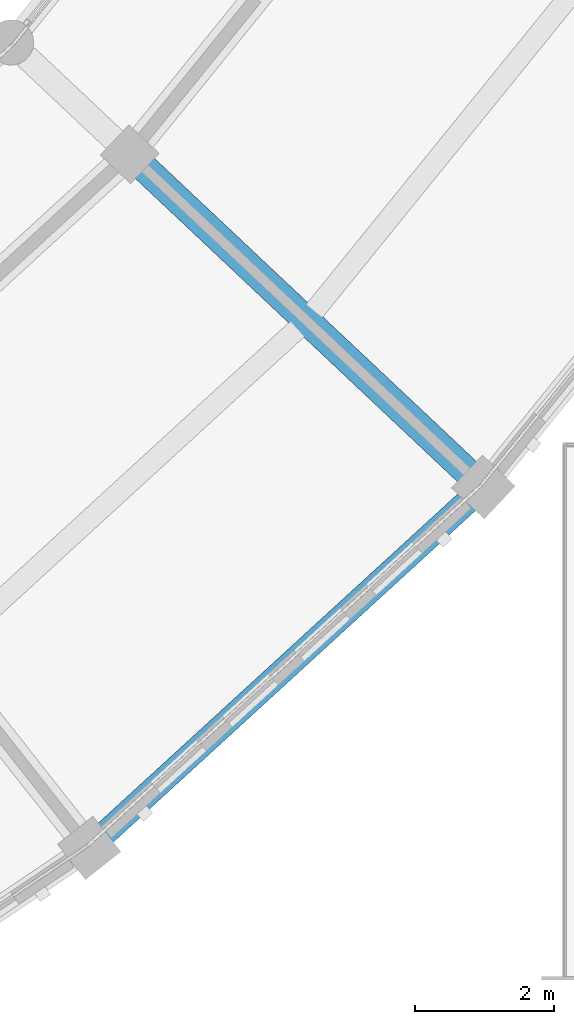
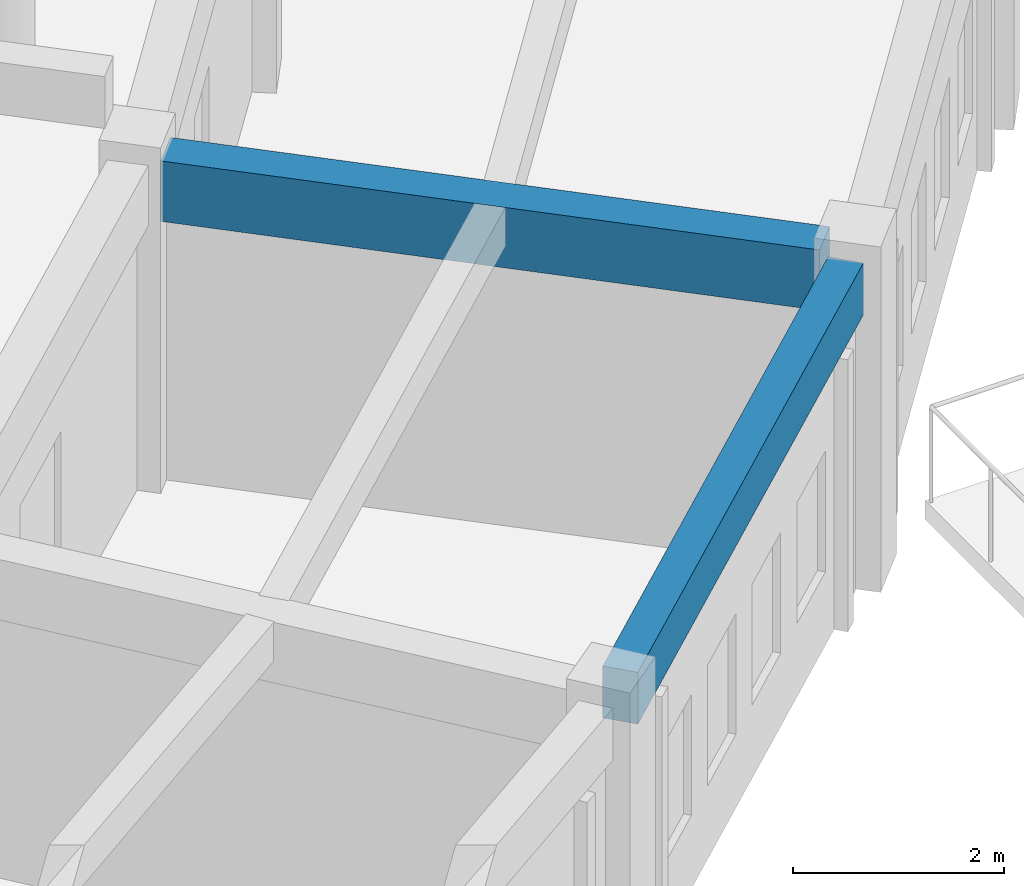
# One storey, part 42 of 159: 2 beams.
"""IFC4 building model written with IfcOpenShell, lengths in metres."""

from ifc_helpers import new_model, si_unit, direction, frame, origin, origin_2d, place, context, subcontext, project, spatial, rectangle, extrude, material, material_profile, profile_set, type_object, element, save


model = new_model("IFC4")

# Units and contexts
model_context = context("Model", 3, precision=1e-05, world=origin(), true_north=direction((0.0, 1.0)))
body_context = subcontext(model_context, "Body", "Model", "MODEL_VIEW")
ifc_project = project(units=[si_unit("LENGTHUNIT", "METRE"), si_unit("AREAUNIT", "SQUARE_METRE"), si_unit("VOLUMEUNIT", "CUBIC_METRE"), si_unit("PLANEANGLEUNIT", "RADIAN"), si_unit("MASSUNIT", "GRAM", prefix="KILO")], contexts=[model_context])

# Site, building, storey
site_placement = place(None, origin())
site = spatial("IfcSite", under=ifc_project, at=site_placement, CompositionType="ELEMENT")
building_placement = place(site_placement, origin())
building = spatial("IfcBuilding", under=site, at=building_placement, Name="Celadon Cloister-Ring School", CompositionType="ELEMENT")
storey_placement = place(building_placement, frame((0.0, 0.0, 4.5)))
storey = spatial("IfcBuildingStorey", under=building, at=storey_placement, Name="L01", CompositionType="ELEMENT", Elevation=4.5)

# Beams
ifc_material_1 = material(Name="Concrete C35/45", Category="concrete")
ifc_material_profile_1 = material_profile(ifc_material_1, rectangle(XDim=0.39990234375, YDim=0.699951171875, at=origin_2d()), Name="RC400X700")
ifc_profile_set_1 = profile_set([ifc_material_profile_1], Name="Concrete C35/45")
beam_type_1 = type_object("IfcBeamType", Name="GT-03", PredefinedType="USERDEFINED", material=ifc_profile_set_1)
beam_1_placement = place(storey_placement, frame((124.64404296875, 23.56201171875, 3.429931640625), z_axis=(-0.728174336837, 0.685391957329, 0.0), x_axis=(-0.685391957329, -0.728174336837, 0.0)))
element("IfcBeam", 1, at=beam_1_placement, inside=storey, type_object=beam_type_1, Name="Beam 0242", ObjectType="GIRDER", PredefinedType="USERDEFINED", context=body_context, shape_type="SweptSolid", body=[
    extrude(rectangle(XDim=0.39990234375, YDim=0.699951171875, at=origin_2d()), origin(), (0.0, 0.0, 1.0), 6.425537109375),
])
ifc_material_2 = material(Name="Concrete C35/45", Category="concrete")
ifc_material_profile_2 = material_profile(ifc_material_2, rectangle(XDim=0.35009765625, YDim=0.60009765625, at=origin_2d()), Name="RC350X600")
ifc_profile_set_2 = profile_set([ifc_material_profile_2], Name="Concrete C35/45")
beam_type_2 = type_object("IfcBeamType", Name="SP-01", PredefinedType="SPANDREL", material=ifc_profile_set_2)
beam_2_placement = place(storey_placement, frame((119.40087890625, 18.35595703125, 3.47998046875), z_axis=(0.737604737807, 0.675232738221, 0.0), x_axis=(-0.675232738221, 0.737604737807, 0.0)))
element("IfcBeam", 2, at=beam_2_placement, inside=storey, type_object=beam_type_2, Name="Beam 0347", PredefinedType="SPANDREL", context=body_context, shape_type="SweptSolid", body=[
    extrude(rectangle(XDim=0.35009765625, YDim=0.60009765625, at=origin_2d()), origin(), (0.0, 0.0, 1.0), 7.1044921875),
])

save(model, "model.ifc")
